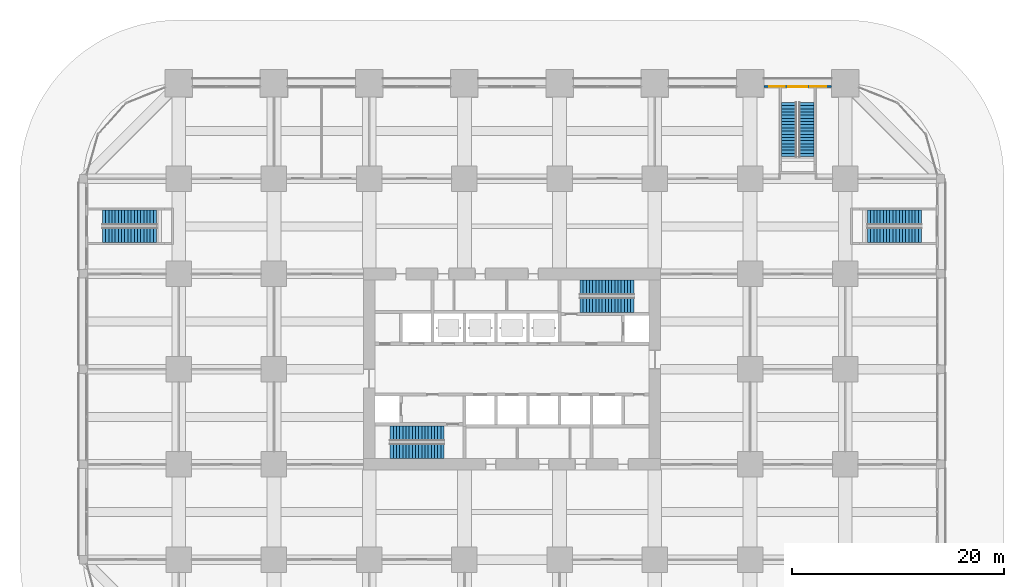
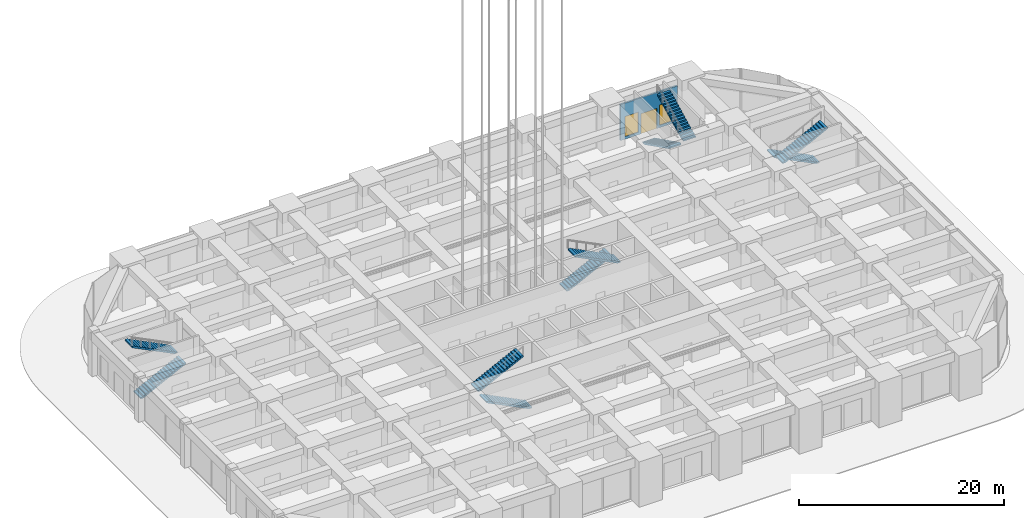
# One storey, part 45 of 56: 10 stair flights, 2 windows, 1 door, 1 wall, 3 openings, 5 elements without a shape of their own.
"""IFC4 building model written with IfcOpenShell, lengths in metres."""

from ifc_helpers import new_model, si_unit, direction, frame, frame_2d, origin, place, context, subcontext, project, spatial, polyline, rectangle, outline, extrude, material, layer, layer_set, type_object, element, fill, aggregate, save


model = new_model("IFC4")

# Units and contexts
model_context = context("Model", 3, precision=1e-05, world=origin(), true_north=direction((0.0, 1.0)))
body_context = subcontext(model_context, "Body", "Model", "MODEL_VIEW")
ifc_project = project(units=[si_unit("LENGTHUNIT", "METRE"), si_unit("AREAUNIT", "SQUARE_METRE"), si_unit("VOLUMEUNIT", "CUBIC_METRE"), si_unit("PLANEANGLEUNIT", "RADIAN"), si_unit("MASSUNIT", "GRAM", prefix="KILO")], contexts=[model_context])

# Site, building, storey
site_placement = place(None, origin())
site = spatial("IfcSite", under=ifc_project, at=site_placement, CompositionType="ELEMENT")
building_placement = place(site_placement, origin())
building = spatial("IfcBuilding", under=site, at=building_placement, Name="Zorevar Civic Tower", CompositionType="ELEMENT")
storey_placement = place(building_placement, origin())
storey = spatial("IfcBuildingStorey", under=building, at=storey_placement, Name="L00", CompositionType="ELEMENT", Elevation=0.0)

# Wall, openings, door, windows
ifc_material_1 = material(Name="Black metal-faced insulated panel", Category="aluminium")
ifc_layer = layer(ifc_material_1, 0.179931640625)
ifc_layer_set = layer_set([ifc_layer], Name="Screen wall 180")
wall_type = type_object("IfcWallType", Name="Screen wall 180", PredefinedType="SOLIDWALL", material=ifc_layer_set)
wall_placement = place(storey_placement, frame((55.300048828125, 53.699951171875, 0.0), z_axis=(0.0, 0.0, 1.0), x_axis=(1.0, 0.0, 0.0)))
wall = element("IfcWall", 1, at=wall_placement, inside=storey, type_object=wall_type, Name="Screen wall L00 N54", PredefinedType="SOLIDWALL", context=body_context, shape_type="SweptSolid", body=[
    extrude(rectangle(XDim=6.39990234375, YDim=0.179931640625, at=frame_2d((3.199951171875, 0.0))), origin(), (0.0, 0.0, 1.0), 4.300048828125),
])
opening_1_placement = place(wall_placement, frame((2.300048828125, 0.0, 0.0)))
opening_1 = element("IfcOpeningElement", 2, at=opening_1_placement, cuts=wall, Name="Opening EX1", PredefinedType="OPENING", context=body_context, shape_type="SweptSolid", body=[
    extrude(rectangle(XDim=1.800048828125, YDim=2.39990234375, at=frame_2d((0.89990234375, 1.199951171875))), frame((0.0, 0.099853515625, 0.0), z_axis=(0.0, -1.0, 0.0), x_axis=(1.0, 0.0, 0.0)), (0.0, 0.0, 1.0), 0.199951171875),
])
opening_2_placement = place(wall_placement, frame((0.5, 0.0, 0.300048828125)))
opening_2 = element("IfcOpeningElement", 3, at=opening_2_placement, cuts=wall, Name="Opening WS1", PredefinedType="OPENING", context=body_context, shape_type="SweptSolid", body=[
    extrude(rectangle(XDim=1.5, YDim=2.39990234375, at=frame_2d((0.75, 1.199951171875))), frame((0.0, 0.099853515625, 0.0), z_axis=(0.0, -1.0, 0.0), x_axis=(1.0, 0.0, 0.0)), (0.0, 0.0, 1.0), 0.199951171875),
])
opening_3_placement = place(wall_placement, frame((4.39990234375, 0.0, 0.300048828125)))
opening_3 = element("IfcOpeningElement", 4, at=opening_3_placement, cuts=wall, Name="Opening WS1", PredefinedType="OPENING", context=body_context, shape_type="SweptSolid", body=[
    extrude(rectangle(XDim=1.5, YDim=2.39990234375, at=frame_2d((0.75, 1.199951171875))), frame((0.0, 0.099853515625, 0.0), z_axis=(0.0, -1.0, 0.0), x_axis=(1.0, 0.0, 0.0)), (0.0, 0.0, 1.0), 0.199951171875),
])
ifc_material_2 = material(Name="Black aluminium and dark glass, panic hardware", Category="aluminium")
door_type = type_object("IfcDoorType", Name="Exit door EX1 1800x2400", OperationType="DOUBLE_DOOR_SINGLE_SWING", PredefinedType="DOOR", material=ifc_material_2)
door_placement = place(opening_1_placement, origin())
door = element("IfcDoor", 5, at=door_placement, inside=storey, type_object=door_type, Name="Exit door L00 N54", OperationType="DOUBLE_DOOR_SINGLE_SWING", OverallHeight=2.39990234375, OverallWidth=1.800048828125, PredefinedType="DOOR", context=body_context, shape_type="SweptSolid", body=[
    extrude(rectangle(XDim=1.800048828125, YDim=2.39990234375, at=frame_2d((0.89990234375, 1.199951171875))), frame((0.0, 0.03515625, 0.0), z_axis=(0.0, -1.0, 0.0), x_axis=(1.0, 0.0, 0.0)), (0.0, 0.0, 1.0), 0.070068359375),
])
fill(opening_1, door)
ifc_material_3 = material(Name="Black aluminium and dark glass", Category="aluminium")
window_type = type_object("IfcWindowType", Name="Window WS1 1500x2400", PartitioningType="SINGLE_PANEL", PredefinedType="WINDOW", material=ifc_material_3)
window_1_placement = place(opening_2_placement, origin())
window_1 = element("IfcWindow", 6, at=window_1_placement, inside=storey, type_object=window_type, Name="Screen window L00 N54", OverallHeight=2.39990234375, OverallWidth=1.5, PartitioningType="SINGLE_PANEL", PredefinedType="WINDOW", context=body_context, shape_type="SweptSolid", body=[
    extrude(rectangle(XDim=1.5, YDim=2.39990234375, at=frame_2d((0.75, 1.199951171875))), frame((0.0, 0.030029296875, 0.0), z_axis=(0.0, -1.0, 0.0), x_axis=(1.0, 0.0, 0.0)), (0.0, 0.0, 1.0), 0.06005859375),
])
fill(opening_2, window_1)
window_2_placement = place(opening_3_placement, origin())
window_2 = element("IfcWindow", 7, at=window_2_placement, inside=storey, type_object=window_type, Name="Screen window L00 N54", OverallHeight=2.39990234375, OverallWidth=1.5, PartitioningType="SINGLE_PANEL", PredefinedType="WINDOW", context=body_context, shape_type="SweptSolid", body=[
    extrude(rectangle(XDim=1.5, YDim=2.39990234375, at=frame_2d((0.75, 1.199951171875))), frame((0.0, 0.030029296875, 0.0), z_axis=(0.0, -1.0, 0.0), x_axis=(1.0, 0.0, 0.0)), (0.0, 0.0, 1.0), 0.06005859375),
])
fill(opening_3, window_2)

# Stair, stair flights
ifc_material_4 = material(Name="Precast concrete C40/50", Category="concrete")
stair_type_1 = type_object("IfcStairType", Name="Escape stair PS 36R", PredefinedType="HALF_TURN_STAIR", material=ifc_material_4)
stair_1_placement = place(storey_placement, origin())
stair_1 = element("IfcStair", 8, at=stair_1_placement, inside=storey, type_object=stair_type_1, Name="Escape stair PS1 L00", PredefinedType="HALF_TURN_STAIR")
ifc_material_5 = material(Name="Precast concrete C40/50", Category="concrete")
stair_flight_type_1 = type_object("IfcStairFlightType", Name="Escape stair flight", PredefinedType="STRAIGHT", material=ifc_material_5)
stair_flight_1_placement = place(storey_placement, frame((-7.199951171875, 39.675048828125, 0.0), z_axis=(0.0, 0.0, 1.0), x_axis=(1.0, 0.0, 0.0)))
stair_flight_1 = element("IfcStairFlight", 9, at=stair_flight_1_placement, type_object=stair_flight_type_1, Name="PS1 flight 1", NumberOfRisers=18, NumberOfTreads=17, PredefinedType="STRAIGHT", RiserHeight=0.15, TreadLength=0.3, context=body_context, shape_type="SweptSolid", body=[
    extrude(outline(polyline([(0.0, 0.0), (0.0, 0.14990234375), (0.300048828125, 0.14990234375), (0.300048828125, 0.300048828125), (0.60009765625, 0.300048828125), (0.60009765625, 0.449951171875), (0.89990234375, 0.449951171875), (0.89990234375, 0.60009765625), (1.199951171875, 0.60009765625), (1.199951171875, 0.75), (1.5, 0.75), (1.5, 0.89990234375), (1.800048828125, 0.89990234375), (1.800048828125, 1.050048828125), (2.10009765625, 1.050048828125), (2.10009765625, 1.199951171875), (2.39990234375, 1.199951171875), (2.39990234375, 1.35009765625), (2.699951171875, 1.35009765625), (2.699951171875, 1.5), (3.0, 1.5), (3.0, 1.64990234375), (3.300048828125, 1.64990234375), (3.300048828125, 1.800048828125), (3.60009765625, 1.800048828125), (3.60009765625, 1.949951171875), (3.89990234375, 1.949951171875), (3.89990234375, 2.10009765625), (4.199951171875, 2.10009765625), (4.199951171875, 2.25), (4.5, 2.25), (4.5, 2.39990234375), (4.800048828125, 2.39990234375), (4.800048828125, 2.550048828125), (5.10009765625, 2.550048828125), (5.10009765625, 2.699951171875), (5.10009765625, 2.38232421875), (0.335205078125, 0.0), (0.0, 0.0)])), frame((0.0, 0.699951171875, 0.0), z_axis=(0.0, -1.0, 0.0), x_axis=(1.0, 0.0, 0.0)), (0.0, 0.0, 1.0), 1.39990234375),
])
stair_flight_2_placement = place(storey_placement, frame((-2.10009765625, 41.324951171875, 2.699951171875), z_axis=(0.0, 0.0, 1.0), x_axis=(-1.0, 0.0, 0.0)))
stair_flight_2 = element("IfcStairFlight", 10, at=stair_flight_2_placement, type_object=stair_flight_type_1, Name="PS1 flight 2", NumberOfRisers=18, NumberOfTreads=17, PredefinedType="STRAIGHT", RiserHeight=0.15, TreadLength=0.3, context=body_context, shape_type="SweptSolid", body=[
    extrude(outline(polyline([(0.0, 0.0), (0.0, 0.14990234375), (0.300048828125, 0.14990234375), (0.300048828125, 0.300048828125), (0.60009765625, 0.300048828125), (0.60009765625, 0.449951171875), (0.89990234375, 0.449951171875), (0.89990234375, 0.60009765625), (1.199951171875, 0.60009765625), (1.199951171875, 0.75), (1.5, 0.75), (1.5, 0.89990234375), (1.800048828125, 0.89990234375), (1.800048828125, 1.050048828125), (2.10009765625, 1.050048828125), (2.10009765625, 1.199951171875), (2.39990234375, 1.199951171875), (2.39990234375, 1.35009765625), (2.699951171875, 1.35009765625), (2.699951171875, 1.5), (3.0, 1.5), (3.0, 1.64990234375), (3.300048828125, 1.64990234375), (3.300048828125, 1.800048828125), (3.60009765625, 1.800048828125), (3.60009765625, 1.949951171875), (3.89990234375, 1.949951171875), (3.89990234375, 2.10009765625), (4.199951171875, 2.10009765625), (4.199951171875, 2.25), (4.5, 2.25), (4.5, 2.39990234375), (4.800048828125, 2.39990234375), (4.800048828125, 2.550048828125), (5.10009765625, 2.550048828125), (5.10009765625, 2.699951171875), (5.10009765625, 2.38232421875), (0.335205078125, 0.0), (0.0, 0.0)])), frame((0.0, 0.699951171875, 0.0), z_axis=(0.0, -1.0, 0.0), x_axis=(1.0, 0.0, 0.0)), (0.0, 0.0, 1.0), 1.39990234375),
])
aggregate(stair_1, [stair_flight_1, stair_flight_2])

stair_2_placement = place(storey_placement, origin())
stair_2 = element("IfcStair", 11, at=stair_2_placement, inside=storey, type_object=stair_type_1, Name="Escape stair PS2 L00", PredefinedType="HALF_TURN_STAIR")
stair_flight_3_placement = place(storey_placement, frame((70.199951171875, 41.324951171875, 0.0), z_axis=(0.0, 0.0, 1.0), x_axis=(-1.0, 0.0, 0.0)))
stair_flight_3 = element("IfcStairFlight", 12, at=stair_flight_3_placement, type_object=stair_flight_type_1, Name="PS2 flight 1", NumberOfRisers=18, NumberOfTreads=17, PredefinedType="STRAIGHT", RiserHeight=0.15, TreadLength=0.3, context=body_context, shape_type="SweptSolid", body=[
    extrude(outline(polyline([(0.0, 0.0), (0.0, 0.14990234375), (0.300048828125, 0.14990234375), (0.300048828125, 0.300048828125), (0.60009765625, 0.300048828125), (0.60009765625, 0.449951171875), (0.89990234375, 0.449951171875), (0.89990234375, 0.60009765625), (1.199951171875, 0.60009765625), (1.199951171875, 0.75), (1.5, 0.75), (1.5, 0.89990234375), (1.800048828125, 0.89990234375), (1.800048828125, 1.050048828125), (2.10009765625, 1.050048828125), (2.10009765625, 1.199951171875), (2.39990234375, 1.199951171875), (2.39990234375, 1.35009765625), (2.699951171875, 1.35009765625), (2.699951171875, 1.5), (3.0, 1.5), (3.0, 1.64990234375), (3.300048828125, 1.64990234375), (3.300048828125, 1.800048828125), (3.60009765625, 1.800048828125), (3.60009765625, 1.949951171875), (3.89990234375, 1.949951171875), (3.89990234375, 2.10009765625), (4.199951171875, 2.10009765625), (4.199951171875, 2.25), (4.5, 2.25), (4.5, 2.39990234375), (4.800048828125, 2.39990234375), (4.800048828125, 2.550048828125), (5.10009765625, 2.550048828125), (5.10009765625, 2.699951171875), (5.10009765625, 2.38232421875), (0.335205078125, 0.0), (0.0, 0.0)])), frame((0.0, 0.699951171875, 0.0), z_axis=(0.0, -1.0, 0.0), x_axis=(1.0, 0.0, 0.0)), (0.0, 0.0, 1.0), 1.39990234375),
])
stair_flight_4_placement = place(storey_placement, frame((65.10009765625, 39.675048828125, 2.699951171875), z_axis=(0.0, 0.0, 1.0), x_axis=(1.0, 0.0, 0.0)))
stair_flight_4 = element("IfcStairFlight", 13, at=stair_flight_4_placement, type_object=stair_flight_type_1, Name="PS2 flight 2", NumberOfRisers=18, NumberOfTreads=17, PredefinedType="STRAIGHT", RiserHeight=0.15, TreadLength=0.3, context=body_context, shape_type="SweptSolid", body=[
    extrude(outline(polyline([(0.0, 0.0), (0.0, 0.14990234375), (0.300048828125, 0.14990234375), (0.300048828125, 0.300048828125), (0.60009765625, 0.300048828125), (0.60009765625, 0.449951171875), (0.89990234375, 0.449951171875), (0.89990234375, 0.60009765625), (1.199951171875, 0.60009765625), (1.199951171875, 0.75), (1.5, 0.75), (1.5, 0.89990234375), (1.800048828125, 0.89990234375), (1.800048828125, 1.050048828125), (2.10009765625, 1.050048828125), (2.10009765625, 1.199951171875), (2.39990234375, 1.199951171875), (2.39990234375, 1.35009765625), (2.699951171875, 1.35009765625), (2.699951171875, 1.5), (3.0, 1.5), (3.0, 1.64990234375), (3.300048828125, 1.64990234375), (3.300048828125, 1.800048828125), (3.60009765625, 1.800048828125), (3.60009765625, 1.949951171875), (3.89990234375, 1.949951171875), (3.89990234375, 2.10009765625), (4.199951171875, 2.10009765625), (4.199951171875, 2.25), (4.5, 2.25), (4.5, 2.39990234375), (4.800048828125, 2.39990234375), (4.800048828125, 2.550048828125), (5.10009765625, 2.550048828125), (5.10009765625, 2.699951171875), (5.10009765625, 2.38232421875), (0.335205078125, 0.0), (0.0, 0.0)])), frame((0.0, 0.699951171875, 0.0), z_axis=(0.0, -1.0, 0.0), x_axis=(1.0, 0.0, 0.0)), (0.0, 0.0, 1.0), 1.39990234375),
])
aggregate(stair_2, [stair_flight_3, stair_flight_4])

stair_3_placement = place(storey_placement, origin())
stair_3 = element("IfcStair", 14, at=stair_3_placement, inside=storey, type_object=stair_type_1, Name="Escape stair PS3 L00", PredefinedType="HALF_TURN_STAIR")
stair_flight_5_placement = place(storey_placement, frame((57.675048828125, 52.199951171875, 0.0), z_axis=(0.0, 0.0, 1.0), x_axis=(0.0, -1.0, 0.0)))
stair_flight_5 = element("IfcStairFlight", 15, at=stair_flight_5_placement, type_object=stair_flight_type_1, Name="PS3 flight 1", NumberOfRisers=18, NumberOfTreads=17, PredefinedType="STRAIGHT", RiserHeight=0.15, TreadLength=0.3, context=body_context, shape_type="SweptSolid", body=[
    extrude(outline(polyline([(0.0, 0.0), (0.0, 0.14990234375), (0.300048828125, 0.14990234375), (0.300048828125, 0.300048828125), (0.60009765625, 0.300048828125), (0.60009765625, 0.449951171875), (0.89990234375, 0.449951171875), (0.89990234375, 0.60009765625), (1.199951171875, 0.60009765625), (1.199951171875, 0.75), (1.5, 0.75), (1.5, 0.89990234375), (1.800048828125, 0.89990234375), (1.800048828125, 1.050048828125), (2.10009765625, 1.050048828125), (2.10009765625, 1.199951171875), (2.39990234375, 1.199951171875), (2.39990234375, 1.35009765625), (2.699951171875, 1.35009765625), (2.699951171875, 1.5), (3.0, 1.5), (3.0, 1.64990234375), (3.300048828125, 1.64990234375), (3.300048828125, 1.800048828125), (3.60009765625, 1.800048828125), (3.60009765625, 1.949951171875), (3.89990234375, 1.949951171875), (3.89990234375, 2.10009765625), (4.199951171875, 2.10009765625), (4.199951171875, 2.25), (4.5, 2.25), (4.5, 2.39990234375), (4.800048828125, 2.39990234375), (4.800048828125, 2.550048828125), (5.10009765625, 2.550048828125), (5.10009765625, 2.699951171875), (5.10009765625, 2.38232421875), (0.335205078125, 0.0), (0.0, 0.0)])), frame((0.0, 0.699951171875, 0.0), z_axis=(0.0, -1.0, 0.0), x_axis=(1.0, 0.0, 0.0)), (0.0, 0.0, 1.0), 1.39990234375),
])
stair_flight_6_placement = place(storey_placement, frame((59.324951171875, 47.10009765625, 2.699951171875), z_axis=(0.0, 0.0, 1.0), x_axis=(0.0, 1.0, 0.0)))
stair_flight_6 = element("IfcStairFlight", 16, at=stair_flight_6_placement, type_object=stair_flight_type_1, Name="PS3 flight 2", NumberOfRisers=18, NumberOfTreads=17, PredefinedType="STRAIGHT", RiserHeight=0.15, TreadLength=0.3, context=body_context, shape_type="SweptSolid", body=[
    extrude(outline(polyline([(0.0, 0.0), (0.0, 0.14990234375), (0.300048828125, 0.14990234375), (0.300048828125, 0.300048828125), (0.60009765625, 0.300048828125), (0.60009765625, 0.449951171875), (0.89990234375, 0.449951171875), (0.89990234375, 0.60009765625), (1.199951171875, 0.60009765625), (1.199951171875, 0.75), (1.5, 0.75), (1.5, 0.89990234375), (1.800048828125, 0.89990234375), (1.800048828125, 1.050048828125), (2.10009765625, 1.050048828125), (2.10009765625, 1.199951171875), (2.39990234375, 1.199951171875), (2.39990234375, 1.35009765625), (2.699951171875, 1.35009765625), (2.699951171875, 1.5), (3.0, 1.5), (3.0, 1.64990234375), (3.300048828125, 1.64990234375), (3.300048828125, 1.800048828125), (3.60009765625, 1.800048828125), (3.60009765625, 1.949951171875), (3.89990234375, 1.949951171875), (3.89990234375, 2.10009765625), (4.199951171875, 2.10009765625), (4.199951171875, 2.25), (4.5, 2.25), (4.5, 2.39990234375), (4.800048828125, 2.39990234375), (4.800048828125, 2.550048828125), (5.10009765625, 2.550048828125), (5.10009765625, 2.699951171875), (5.10009765625, 2.38232421875), (0.335205078125, 0.0), (0.0, 0.0)])), frame((0.0, 0.699951171875, 0.0), z_axis=(0.0, -1.0, 0.0), x_axis=(1.0, 0.0, 0.0)), (0.0, 0.0, 1.0), 1.39990234375),
])
aggregate(stair_3, [stair_flight_5, stair_flight_6])

ifc_material_6 = material(Name="Precast concrete C40/50", Category="concrete")
stair_type_2 = type_object("IfcStairType", Name="Stair ST 36R", PredefinedType="HALF_TURN_STAIR", material=ifc_material_6)
stair_4_placement = place(storey_placement, origin())
stair_4 = element("IfcStair", 17, at=stair_4_placement, inside=storey, type_object=stair_type_2, Name="Stair ST1 L00", PredefinedType="HALF_TURN_STAIR")
ifc_material_7 = material(Name="Precast concrete C40/50", Category="concrete")
stair_flight_type_2 = type_object("IfcStairFlightType", Name="Stair flight", PredefinedType="STRAIGHT", material=ifc_material_7)
stair_flight_7_placement = place(storey_placement, frame((25.080078125, 19.262451171875, 0.0), z_axis=(0.0, 0.0, 1.0), x_axis=(-1.0, 0.0, 0.0)))
stair_flight_7 = element("IfcStairFlight", 18, at=stair_flight_7_placement, type_object=stair_flight_type_2, Name="ST1 flight 1", NumberOfRisers=18, NumberOfTreads=17, PredefinedType="STRAIGHT", RiserHeight=0.15, TreadLength=0.3, context=body_context, shape_type="SweptSolid", body=[
    extrude(outline(polyline([(0.0, 0.0), (0.0, 0.14990234375), (0.300048828125, 0.14990234375), (0.300048828125, 0.300048828125), (0.60009765625, 0.300048828125), (0.60009765625, 0.449951171875), (0.89990234375, 0.449951171875), (0.89990234375, 0.60009765625), (1.199951171875, 0.60009765625), (1.199951171875, 0.75), (1.5, 0.75), (1.5, 0.89990234375), (1.800048828125, 0.89990234375), (1.800048828125, 1.050048828125), (2.10009765625, 1.050048828125), (2.10009765625, 1.199951171875), (2.39990234375, 1.199951171875), (2.39990234375, 1.35009765625), (2.699951171875, 1.35009765625), (2.699951171875, 1.5), (3.0, 1.5), (3.0, 1.64990234375), (3.300048828125, 1.64990234375), (3.300048828125, 1.800048828125), (3.60009765625, 1.800048828125), (3.60009765625, 1.949951171875), (3.89990234375, 1.949951171875), (3.89990234375, 2.10009765625), (4.199951171875, 2.10009765625), (4.199951171875, 2.25), (4.5, 2.25), (4.5, 2.39990234375), (4.800048828125, 2.39990234375), (4.800048828125, 2.550048828125), (5.10009765625, 2.550048828125), (5.10009765625, 2.699951171875), (5.10009765625, 2.38232421875), (0.335205078125, 0.0), (0.0, 0.0)])), frame((0.0, 0.71240234375, 0.0), z_axis=(0.0, -1.0, 0.0), x_axis=(1.0, 0.0, 0.0)), (0.0, 0.0, 1.0), 1.425048828125),
])
stair_flight_8_placement = place(storey_placement, frame((19.97998046875, 20.9375, 2.699951171875), z_axis=(0.0, 0.0, 1.0), x_axis=(1.0, 0.0, 0.0)))
stair_flight_8 = element("IfcStairFlight", 19, at=stair_flight_8_placement, type_object=stair_flight_type_2, Name="ST1 flight 2", NumberOfRisers=18, NumberOfTreads=17, PredefinedType="STRAIGHT", RiserHeight=0.15, TreadLength=0.3, context=body_context, shape_type="SweptSolid", body=[
    extrude(outline(polyline([(0.0, 0.0), (0.0, 0.14990234375), (0.300048828125, 0.14990234375), (0.300048828125, 0.300048828125), (0.60009765625, 0.300048828125), (0.60009765625, 0.449951171875), (0.89990234375, 0.449951171875), (0.89990234375, 0.60009765625), (1.199951171875, 0.60009765625), (1.199951171875, 0.75), (1.5, 0.75), (1.5, 0.89990234375), (1.800048828125, 0.89990234375), (1.800048828125, 1.050048828125), (2.10009765625, 1.050048828125), (2.10009765625, 1.199951171875), (2.39990234375, 1.199951171875), (2.39990234375, 1.35009765625), (2.699951171875, 1.35009765625), (2.699951171875, 1.5), (3.0, 1.5), (3.0, 1.64990234375), (3.300048828125, 1.64990234375), (3.300048828125, 1.800048828125), (3.60009765625, 1.800048828125), (3.60009765625, 1.949951171875), (3.89990234375, 1.949951171875), (3.89990234375, 2.10009765625), (4.199951171875, 2.10009765625), (4.199951171875, 2.25), (4.5, 2.25), (4.5, 2.39990234375), (4.800048828125, 2.39990234375), (4.800048828125, 2.550048828125), (5.10009765625, 2.550048828125), (5.10009765625, 2.699951171875), (5.10009765625, 2.38232421875), (0.335205078125, 0.0), (0.0, 0.0)])), frame((0.0, 0.71240234375, 0.0), z_axis=(0.0, -1.0, 0.0), x_axis=(1.0, 0.0, 0.0)), (0.0, 0.0, 1.0), 1.425048828125),
])
aggregate(stair_4, [stair_flight_7, stair_flight_8])

stair_5_placement = place(storey_placement, origin())
stair_5 = element("IfcStair", 20, at=stair_5_placement, inside=storey, type_object=stair_type_2, Name="Stair ST2 L00", PredefinedType="HALF_TURN_STAIR")
stair_flight_9_placement = place(storey_placement, frame((37.919921875, 34.737548828125, 0.0), z_axis=(0.0, 0.0, 1.0), x_axis=(1.0, 0.0, 0.0)))
stair_flight_9 = element("IfcStairFlight", 21, at=stair_flight_9_placement, type_object=stair_flight_type_2, Name="ST2 flight 1", NumberOfRisers=18, NumberOfTreads=17, PredefinedType="STRAIGHT", RiserHeight=0.15, TreadLength=0.3, context=body_context, shape_type="SweptSolid", body=[
    extrude(outline(polyline([(0.0, 0.0), (0.0, 0.14990234375), (0.300048828125, 0.14990234375), (0.300048828125, 0.300048828125), (0.60009765625, 0.300048828125), (0.60009765625, 0.449951171875), (0.89990234375, 0.449951171875), (0.89990234375, 0.60009765625), (1.199951171875, 0.60009765625), (1.199951171875, 0.75), (1.5, 0.75), (1.5, 0.89990234375), (1.800048828125, 0.89990234375), (1.800048828125, 1.050048828125), (2.10009765625, 1.050048828125), (2.10009765625, 1.199951171875), (2.39990234375, 1.199951171875), (2.39990234375, 1.35009765625), (2.699951171875, 1.35009765625), (2.699951171875, 1.5), (3.0, 1.5), (3.0, 1.64990234375), (3.300048828125, 1.64990234375), (3.300048828125, 1.800048828125), (3.60009765625, 1.800048828125), (3.60009765625, 1.949951171875), (3.89990234375, 1.949951171875), (3.89990234375, 2.10009765625), (4.199951171875, 2.10009765625), (4.199951171875, 2.25), (4.5, 2.25), (4.5, 2.39990234375), (4.800048828125, 2.39990234375), (4.800048828125, 2.550048828125), (5.10009765625, 2.550048828125), (5.10009765625, 2.699951171875), (5.10009765625, 2.38232421875), (0.335205078125, 0.0), (0.0, 0.0)])), frame((0.0, 0.71240234375, 0.0), z_axis=(0.0, -1.0, 0.0), x_axis=(1.0, 0.0, 0.0)), (0.0, 0.0, 1.0), 1.425048828125),
])
stair_flight_10_placement = place(storey_placement, frame((43.02001953125, 33.0625, 2.699951171875), z_axis=(0.0, 0.0, 1.0), x_axis=(-1.0, 0.0, 0.0)))
stair_flight_10 = element("IfcStairFlight", 22, at=stair_flight_10_placement, type_object=stair_flight_type_2, Name="ST2 flight 2", NumberOfRisers=18, NumberOfTreads=17, PredefinedType="STRAIGHT", RiserHeight=0.15, TreadLength=0.3, context=body_context, shape_type="SweptSolid", body=[
    extrude(outline(polyline([(0.0, 0.0), (0.0, 0.14990234375), (0.300048828125, 0.14990234375), (0.300048828125, 0.300048828125), (0.60009765625, 0.300048828125), (0.60009765625, 0.449951171875), (0.89990234375, 0.449951171875), (0.89990234375, 0.60009765625), (1.199951171875, 0.60009765625), (1.199951171875, 0.75), (1.5, 0.75), (1.5, 0.89990234375), (1.800048828125, 0.89990234375), (1.800048828125, 1.050048828125), (2.10009765625, 1.050048828125), (2.10009765625, 1.199951171875), (2.39990234375, 1.199951171875), (2.39990234375, 1.35009765625), (2.699951171875, 1.35009765625), (2.699951171875, 1.5), (3.0, 1.5), (3.0, 1.64990234375), (3.300048828125, 1.64990234375), (3.300048828125, 1.800048828125), (3.60009765625, 1.800048828125), (3.60009765625, 1.949951171875), (3.89990234375, 1.949951171875), (3.89990234375, 2.10009765625), (4.199951171875, 2.10009765625), (4.199951171875, 2.25), (4.5, 2.25), (4.5, 2.39990234375), (4.800048828125, 2.39990234375), (4.800048828125, 2.550048828125), (5.10009765625, 2.550048828125), (5.10009765625, 2.699951171875), (5.10009765625, 2.38232421875), (0.335205078125, 0.0), (0.0, 0.0)])), frame((0.0, 0.71240234375, 0.0), z_axis=(0.0, -1.0, 0.0), x_axis=(1.0, 0.0, 0.0)), (0.0, 0.0, 1.0), 1.425048828125),
])
aggregate(stair_5, [stair_flight_9, stair_flight_10])

save(model, "model.ifc")
